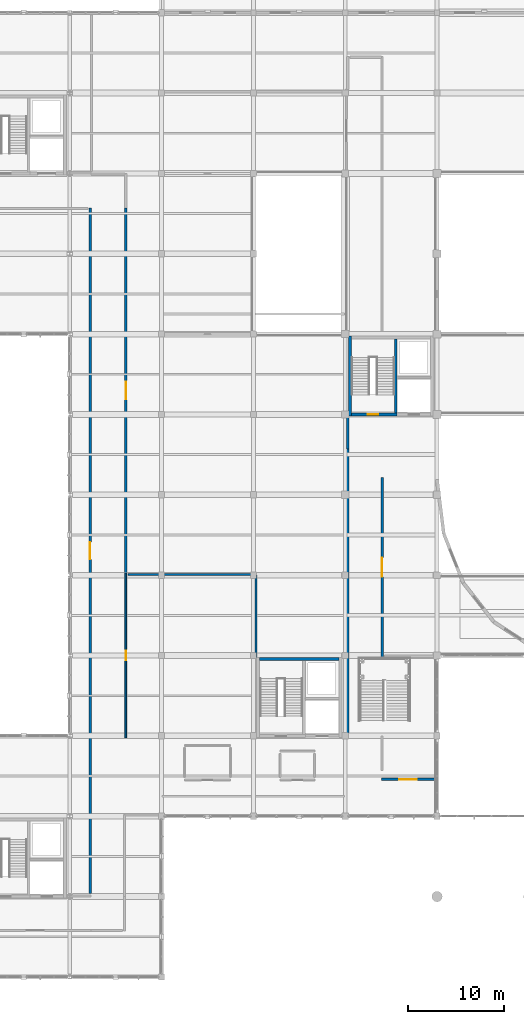
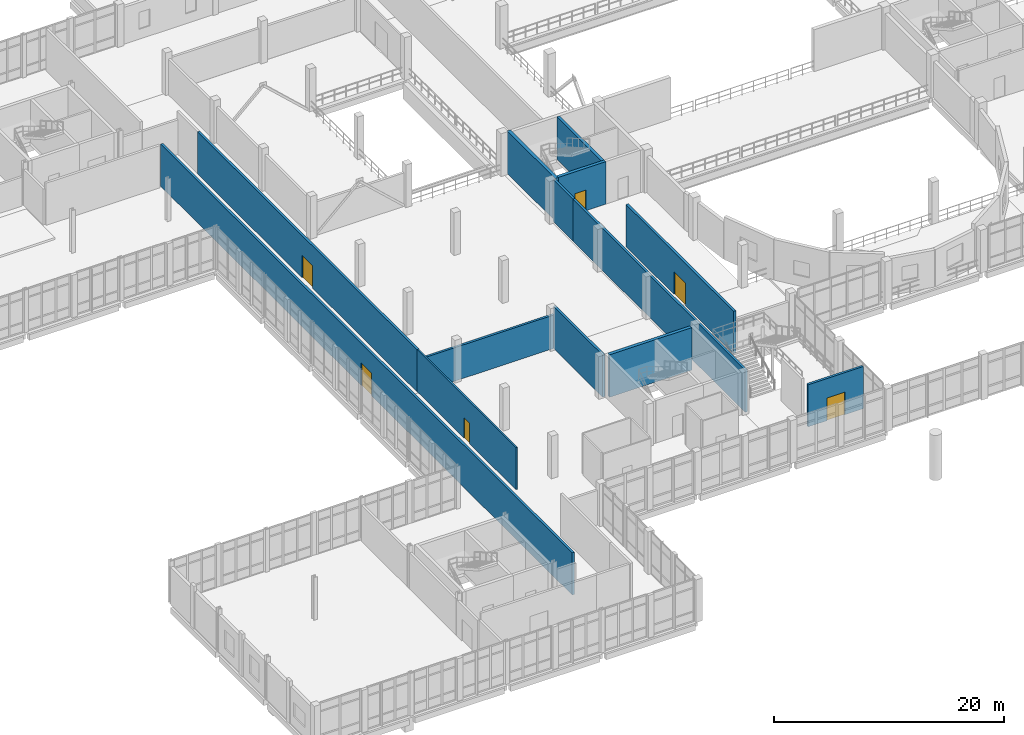
# One storey, part 88 of 102: 13 walls, 6 doors, 6 openings.
"""IFC4 building model written with IfcOpenShell, lengths in metres."""

from ifc_helpers import new_model, si_unit, direction, frame, frame_2d, origin, place, context, subcontext, project, spatial, rectangle, extrude, material, layer, layer_set, type_object, element, fill, save


model = new_model("IFC4")

# Units and contexts
model_context = context("Model", 3, precision=1e-05, world=origin(), true_north=direction((0.0, 1.0)))
body_context = subcontext(model_context, "Body", "Model", "MODEL_VIEW")
ifc_project = project(units=[si_unit("LENGTHUNIT", "METRE"), si_unit("AREAUNIT", "SQUARE_METRE"), si_unit("VOLUMEUNIT", "CUBIC_METRE"), si_unit("PLANEANGLEUNIT", "RADIAN"), si_unit("MASSUNIT", "GRAM", prefix="KILO")], contexts=[model_context])

# Site, building, storey
site_placement = place(None, origin())
site = spatial("IfcSite", under=ifc_project, at=site_placement, CompositionType="ELEMENT")
building_placement = place(site_placement, origin())
building = spatial("IfcBuilding", under=site, at=building_placement, Name="Lornevale Opera House", CompositionType="ELEMENT")
storey_placement = place(building_placement, frame((0.0, 0.0, 5.39990234375)))
storey = spatial("IfcBuildingStorey", under=building, at=storey_placement, Name="L02", CompositionType="ELEMENT", Elevation=5.39990234375)

# Wall, opening, door
ifc_material_1 = material(Name="Acoustic Mineral-Core Gypsum Partition", Category="gypsum")
ifc_layer_1 = layer(ifc_material_1, 0.25)
ifc_layer_set_1 = layer_set([ifc_layer_1], Name="Acoustic Mineral-Core Gypsum Partition")
wall_type_1 = type_object("IfcWallType", Name="Auditorium Box-in-Box Liner 250", PredefinedType="SOLIDWALL", material=ifc_layer_set_1)
wall_1_placement = place(storey_placement, frame((61.4599609375, 33.449951171875, 0.0), z_axis=(0.0, 0.0, 1.0), x_axis=(0.0, 1.0, 0.0)))
wall_1 = element("IfcWall", 1, at=wall_1_placement, inside=storey, type_object=wall_type_1, Name="L02 Partition WL-INT-0749", PredefinedType="SOLIDWALL", context=body_context, shape_type="SweptSolid", body=[
    extrude(rectangle(XDim=18.75, YDim=0.25, at=frame_2d((9.375, 0.0))), origin(), (0.0, 0.0, 1.0), 4.47998046875),
])
opening_1_placement = place(wall_1_placement, frame((8.375, 0.0, 0.0)))
opening_1 = element("IfcOpeningElement", 2, at=opening_1_placement, cuts=wall_1, Name="Opening DR-T14", PredefinedType="OPENING", context=body_context, shape_type="SweptSolid", body=[
    extrude(rectangle(XDim=2.0, YDim=2.39990234375, at=frame_2d((1.0, 1.199951171875))), frame((0.0, 0.135009765625, 0.0), z_axis=(0.0, -1.0, 0.0), x_axis=(1.0, 0.0, 0.0)), (0.0, 0.0, 1.0), 0.27001953125),
])
ifc_material_2 = material(Name="White Oak Acoustic Panelling", Category="wood")
ifc_layer_2 = layer(ifc_material_2, 2.39990234375)
ifc_layer_set_2 = layer_set([ifc_layer_2], Name="White Oak Acoustic Panelling")
door_type_1 = type_object("IfcDoorType", Name="Auditorium Acoustic Sound-Lock Pair 2000x2400", OperationType="NOTDEFINED", PredefinedType="DOOR", material=ifc_layer_set_2)
door_1_placement = place(opening_1_placement, origin())
door_1 = element("IfcDoor", 3, at=door_1_placement, inside=storey, type_object=door_type_1, Name="Auditorium Parterre Tier Door", OperationType="DOUBLE_SWING_LEFT", OverallHeight=2.39990234375, OverallWidth=2.0, PredefinedType="DOOR", context=body_context, shape_type="SweptSolid", body=[
    extrude(rectangle(XDim=2.0, YDim=2.39990234375, at=frame_2d((1.0, 1.199951171875))), frame((0.0, 0.02490234375, 0.0), z_axis=(0.0, -1.0, 0.0), x_axis=(1.0, 0.0, 0.0)), (0.0, 0.0, 1.0), 0.050048828125),
])
fill(opening_1, door_1)

# Wall
ifc_material_3 = material(Name="Concrete 40 MPa (CSA A23.1 C-1)", Category="concrete")
ifc_layer_3 = layer(ifc_material_3, 0.320068359375)
ifc_layer_set_3 = layer_set([ifc_layer_3], Name="Concrete 40 MPa (CSA A23.1 C-1)")
wall_type_2 = type_object("IfcWallType", Name="Core Shear Wall 320", PredefinedType="SHEAR", material=ifc_layer_set_3)
wall_2_placement = place(storey_placement, frame((56.93994140625, 33.239990234375, 0.0), z_axis=(0.0, 0.0, 1.0), x_axis=(-1.0, 0.0, 0.0)))
element("IfcWall", 4, at=wall_2_placement, inside=storey, type_object=wall_type_2, Name="South-West Foyer Core Core Shear Wall 320 WL-COR-0024", PredefinedType="SHEAR", context=body_context, shape_type="SweptSolid", body=[
    extrude(rectangle(XDim=8.280029296875, YDim=0.320068359375, at=frame_2d((4.14013671875, 0.0))), origin(), (0.0, 0.0, 1.0), 4.52001953125),
])

# Wall, opening, door
wall_3_placement = place(storey_placement, frame((58.260009765625, 58.800048828125, 0.0), z_axis=(0.0, 0.0, 1.0), x_axis=(1.0, 0.0, 0.0)))
wall_3 = element("IfcWall", 5, at=wall_3_placement, inside=storey, type_object=wall_type_2, Name="Auditorium West Tier Core Core Shear Wall 320 WL-COR-0169", PredefinedType="SHEAR", context=body_context, shape_type="SweptSolid", body=[
    extrude(rectangle(XDim=4.780029296875, YDim=0.320068359375, at=frame_2d((2.39013671875, 0.0))), origin(), (0.0, 0.0, 1.0), 4.52001953125),
])
opening_2_placement = place(wall_3_placement, frame((1.68994140625, 0.0, 0.0)))
opening_2 = element("IfcOpeningElement", 6, at=opening_2_placement, cuts=wall_3, Name="Opening DR-T10", PredefinedType="OPENING", context=body_context, shape_type="SweptSolid", body=[
    extrude(rectangle(XDim=1.10009765625, YDim=2.199951171875, at=frame_2d((0.550048828125, 1.10009765625))), frame((0.0, 0.169921875, 0.0), z_axis=(0.0, -1.0, 0.0), x_axis=(1.0, 0.0, 0.0)), (0.0, 0.0, 1.0), 0.340087890625),
])
ifc_material_4 = material(Name="Painted Hollow Metal Door Steel", Category="steel")
ifc_layer_4 = layer(ifc_material_4, 2.199951171875)
ifc_layer_set_4 = layer_set([ifc_layer_4], Name="Painted Hollow Metal Door Steel")
door_type_2 = type_object("IfcDoorType", Name="Protected Exit Stair Door L 1100x2200", OperationType="NOTDEFINED", PredefinedType="DOOR", material=ifc_layer_set_4)
door_2_placement = place(opening_2_placement, origin())
door_2 = element("IfcDoor", 7, at=door_2_placement, inside=storey, type_object=door_type_2, Name="C5 Stair Door L02", OperationType="SINGLE_SWING_LEFT", OverallHeight=2.199951171875, OverallWidth=1.10009765625, PredefinedType="DOOR", context=body_context, shape_type="SweptSolid", body=[
    extrude(rectangle(XDim=1.10009765625, YDim=2.199951171875, at=frame_2d((0.550048828125, 1.10009765625))), frame((0.0, 0.02490234375, 0.0), z_axis=(0.0, -1.0, 0.0), x_axis=(1.0, 0.0, 0.0)), (0.0, 0.0, 1.0), 0.050048828125),
])
fill(opening_2, door_2)

# Wall
wall_4_placement = place(storey_placement, frame((58.10009765625, 67.0, 0.0), z_axis=(0.0, 0.0, 1.0), x_axis=(0.0, -1.0, 0.0)))
element("IfcWall", 8, at=wall_4_placement, inside=storey, type_object=wall_type_2, Name="Auditorium West Tier Core Core Shear Wall 320 WL-COR-0172", PredefinedType="SHEAR", context=body_context, shape_type="SweptSolid", body=[
    extrude(rectangle(XDim=8.360107421875, YDim=0.320068359375, at=frame_2d((4.18017578125, 0.0))), origin(), (0.0, 0.0, 1.0), 4.52001953125),
])

# Wall, opening, door
ifc_layer_5 = layer(ifc_material_1, 0.1650390625)
ifc_layer_set_5 = layer_set([ifc_layer_5], Name="Acoustic Mineral-Core Gypsum Partition")
wall_type_3 = type_object("IfcWallType", Name="Corridor Rated Partition 165", PredefinedType="PARTITIONING", material=ifc_layer_set_5)
wall_5_placement = place(storey_placement, frame((34.659912109375, 25.0, 0.0), z_axis=(0.0, 0.0, 1.0), x_axis=(0.0, 1.0, 0.0)))
wall_5 = element("IfcWall", 9, at=wall_5_placement, inside=storey, type_object=wall_type_3, Name="L02 Partition WL-INT-0750", PredefinedType="PARTITIONING", context=body_context, shape_type="SweptSolid", body=[
    extrude(rectangle(XDim=17.199951171875, YDim=0.1650390625, at=frame_2d((8.60009765625, 0.0))), origin(), (0.0, 0.0, 1.0), 4.47998046875),
])
opening_3_placement = place(wall_5_placement, frame((8.125, 0.0, 0.0)))
opening_3 = element("IfcOpeningElement", 10, at=opening_3_placement, cuts=wall_5, Name="Opening DR-T19", PredefinedType="OPENING", context=body_context, shape_type="SweptSolid", body=[
    extrude(rectangle(XDim=0.949951171875, YDim=2.14990234375, at=frame_2d((0.47509765625, 1.074951171875))), frame((0.0, 0.092529296875, 0.0), z_axis=(0.0, -1.0, 0.0), x_axis=(1.0, 0.0, 0.0)), (0.0, 0.0, 1.0), 0.18505859375),
])
ifc_layer_6 = layer(ifc_material_2, 2.14990234375)
ifc_layer_set_6 = layer_set([ifc_layer_6], Name="White Oak Acoustic Panelling")
door_type_3 = type_object("IfcDoorType", Name="Soloist Dressing Door L 950x2150", OperationType="NOTDEFINED", PredefinedType="DOOR", material=ifc_layer_set_6)
door_3_placement = place(opening_3_placement, origin())
door_3 = element("IfcDoor", 11, at=door_3_placement, inside=storey, type_object=door_type_3, Name="Parterre Foyer Salon West Door", OperationType="SINGLE_SWING_LEFT", OverallHeight=2.14990234375, OverallWidth=0.949951171875, PredefinedType="DOOR", context=body_context, shape_type="SweptSolid", body=[
    extrude(rectangle(XDim=0.949951171875, YDim=2.14990234375, at=frame_2d((0.47509765625, 1.074951171875))), frame((0.0, 0.02490234375, 0.0), z_axis=(0.0, -1.0, 0.0), x_axis=(1.0, 0.0, 0.0)), (0.0, 0.0, 1.0), 0.050048828125),
])
fill(opening_3, door_3)

# Wall
ifc_layer_7 = layer(ifc_material_3, 0.280029296875)
ifc_layer_set_7 = layer_set([ifc_layer_7], Name="Concrete 40 MPa (CSA A23.1 C-1)")
wall_type_4 = type_object("IfcWallType", Name="Elevator Shaft Wall 280", PredefinedType="SHEAR", material=ifc_layer_set_7)
wall_6_placement = place(storey_placement, frame((62.89990234375, 58.9599609375, 0.0), z_axis=(0.0, 0.0, 1.0), x_axis=(0.0, 1.0, 0.0)))
element("IfcWall", 12, at=wall_6_placement, inside=storey, type_object=wall_type_4, Name="Auditorium West Tier Core Elevator Shaft Wall 280 WL-COR-0174", PredefinedType="SHEAR", context=body_context, shape_type="SweptSolid", body=[
    extrude(rectangle(XDim=7.719970703125, YDim=0.280029296875, at=frame_2d((3.85986328125, 0.0))), origin(), (0.0, 0.0, 1.0), 4.52001953125),
])

# Wall, opening, door
ifc_layer_8 = layer(ifc_material_1, 0.22998046875)
ifc_layer_set_8 = layer_set([ifc_layer_8], Name="Acoustic Mineral-Core Gypsum Partition")
wall_type_5 = type_object("IfcWallType", Name="Rehearsal Studio Acoustic Wall 230", PredefinedType="SOLIDWALL", material=ifc_layer_set_8)
wall_7_placement = place(storey_placement, frame((34.659912109375, 42.199951171875, 0.0), z_axis=(0.0, 0.0, 1.0), x_axis=(0.0, 1.0, 0.0)))
wall_7 = element("IfcWall", 13, at=wall_7_placement, inside=storey, type_object=wall_type_5, Name="L02 Partition WL-INT-0756", PredefinedType="SOLIDWALL", context=body_context, shape_type="SweptSolid", body=[
    extrude(rectangle(XDim=38.199951171875, YDim=0.22998046875, at=frame_2d((19.10009765625, 0.0))), origin(), (0.0, 0.0, 1.0), 4.47998046875),
])
opening_4_placement = place(wall_7_placement, frame((18.199951171875, 0.0, 0.0)))
opening_4 = element("IfcOpeningElement", 14, at=opening_4_placement, cuts=wall_7, Name="Opening DR-T18", PredefinedType="OPENING", context=body_context, shape_type="SweptSolid", body=[
    extrude(rectangle(XDim=1.800048828125, YDim=2.39990234375, at=frame_2d((0.89990234375, 1.199951171875))), frame((0.0, 0.125, 0.0), z_axis=(0.0, -1.0, 0.0), x_axis=(1.0, 0.0, 0.0)), (0.0, 0.0, 1.0), 0.25),
])
ifc_layer_9 = layer(ifc_material_2, 2.39990234375)
ifc_layer_set_9 = layer_set([ifc_layer_9], Name="White Oak Acoustic Panelling")
door_type_4 = type_object("IfcDoorType", Name="Rehearsal Studio Pair 1800x2400", OperationType="NOTDEFINED", PredefinedType="DOOR", material=ifc_layer_set_9)
door_4_placement = place(opening_4_placement, origin())
door_4 = element("IfcDoor", 15, at=door_4_placement, inside=storey, type_object=door_type_4, Name="Artist Ensemble Rehearsal Lounge Door", OperationType="DOUBLE_SWING_LEFT", OverallHeight=2.39990234375, OverallWidth=1.800048828125, PredefinedType="DOOR", context=body_context, shape_type="SweptSolid", body=[
    extrude(rectangle(XDim=1.800048828125, YDim=2.39990234375, at=frame_2d((0.89990234375, 1.199951171875))), frame((0.0, 0.02490234375, 0.0), z_axis=(0.0, -1.0, 0.0), x_axis=(1.0, 0.0, 0.0)), (0.0, 0.0, 1.0), 0.050048828125),
])
fill(opening_4, door_4)

# Walls
wall_8_placement = place(storey_placement, frame((57.860107421875, 25.199951171875, 0.0), z_axis=(0.0, 0.0, 1.0), x_axis=(0.0, 1.0, 0.0)))
element("IfcWall", 16, at=wall_8_placement, inside=storey, type_object=wall_type_5, Name="L02 Partition WL-INT-0757", PredefinedType="SOLIDWALL", context=body_context, shape_type="SweptSolid", body=[
    extrude(rectangle(XDim=30.0, YDim=0.22998046875, at=frame_2d((15.0, 0.0))), origin(), (0.0, 0.0, 1.0), 4.47998046875),
])
wall_9_placement = place(storey_placement, frame((57.860107421875, 55.199951171875, 0.0), z_axis=(0.0, 0.0, 1.0), x_axis=(0.0, 1.0, 0.0)))
element("IfcWall", 17, at=wall_9_placement, inside=storey, type_object=wall_type_5, Name="L02 Partition WL-INT-0758", PredefinedType="SOLIDWALL", context=body_context, shape_type="SweptSolid", body=[
    extrude(rectangle(XDim=3.43994140625, YDim=0.22998046875, at=frame_2d((1.719970703125, 0.0))), origin(), (0.0, 0.0, 1.0), 4.47998046875),
])

# Wall, opening, door
wall_10_placement = place(storey_placement, frame((30.93994140625, 8.7099609375, 0.0), z_axis=(0.0, 0.0, 1.0), x_axis=(0.0, 1.0, 0.0)))
wall_10 = element("IfcWall", 18, at=wall_10_placement, inside=storey, type_object=wall_type_5, Name="L02 Partition WL-INT-0764", PredefinedType="SOLIDWALL", context=body_context, shape_type="SweptSolid", body=[
    extrude(rectangle(XDim=71.68994140625, YDim=0.22998046875, at=frame_2d((35.844970703125, 0.0))), origin(), (0.0, 0.0, 1.0), 4.47998046875),
])
opening_5_placement = place(wall_10_placement, frame((34.945068359375, 0.0, 0.0)))
opening_5 = element("IfcOpeningElement", 19, at=opening_5_placement, cuts=wall_10, Name="Opening DR-T18", PredefinedType="OPENING", context=body_context, shape_type="SweptSolid", body=[
    extrude(rectangle(XDim=1.800048828125, YDim=2.39990234375, at=frame_2d((0.89990234375, 1.199951171875))), frame((0.0, 0.125, 0.0), z_axis=(0.0, -1.0, 0.0), x_axis=(1.0, 0.0, 0.0)), (0.0, 0.0, 1.0), 0.25),
])
door_5_placement = place(opening_5_placement, origin())
door_5 = element("IfcDoor", 20, at=door_5_placement, inside=storey, type_object=door_type_4, Name="Artist Ensemble Rehearsal Lounge Door", OperationType="DOUBLE_SWING_LEFT", OverallHeight=2.39990234375, OverallWidth=1.800048828125, PredefinedType="DOOR", context=body_context, shape_type="SweptSolid", body=[
    extrude(rectangle(XDim=1.800048828125, YDim=2.39990234375, at=frame_2d((0.89990234375, 1.199951171875))), frame((0.0, 0.02490234375, 0.0), z_axis=(0.0, -1.0, 0.0), x_axis=(1.0, 0.0, 0.0)), (0.0, 0.0, 1.0), 0.050048828125),
])
fill(opening_5, door_5)

wall_11_placement = place(storey_placement, frame((61.39990234375, 20.659912109375, 0.0), z_axis=(0.0, 0.0, 1.0), x_axis=(1.0, 0.0, 0.0)))
wall_11 = element("IfcWall", 21, at=wall_11_placement, inside=storey, type_object=wall_type_5, Name="L02 Partition WL-INT-0772", PredefinedType="SOLIDWALL", context=body_context, shape_type="SweptSolid", body=[
    extrude(rectangle(XDim=5.550048828125, YDim=0.22998046875, at=frame_2d((2.77490234375, 0.0))), origin(), (0.0, 0.0, 1.0), 4.47998046875),
])
opening_6_placement = place(wall_11_placement, frame((1.875, 0.0, 0.0)))
opening_6 = element("IfcOpeningElement", 22, at=opening_6_placement, cuts=wall_11, Name="Opening DR-T18", PredefinedType="OPENING", context=body_context, shape_type="SweptSolid", body=[
    extrude(rectangle(XDim=1.800048828125, YDim=2.39990234375, at=frame_2d((0.89990234375, 1.199951171875))), frame((0.0, 0.125, 0.0), z_axis=(0.0, -1.0, 0.0), x_axis=(1.0, 0.0, 0.0)), (0.0, 0.0, 1.0), 0.25),
])
door_6_placement = place(opening_6_placement, origin())
door_6 = element("IfcDoor", 23, at=door_6_placement, inside=storey, type_object=door_type_4, Name="Artist Ensemble Rehearsal Lounge Door", OperationType="DOUBLE_SWING_LEFT", OverallHeight=2.39990234375, OverallWidth=1.800048828125, PredefinedType="DOOR", context=body_context, shape_type="SweptSolid", body=[
    extrude(rectangle(XDim=1.800048828125, YDim=2.39990234375, at=frame_2d((0.89990234375, 1.199951171875))), frame((0.0, 0.02490234375, 0.0), z_axis=(0.0, -1.0, 0.0), x_axis=(1.0, 0.0, 0.0)), (0.0, 0.0, 1.0), 0.050048828125),
])
fill(opening_6, door_6)

# Walls
wall_12_placement = place(storey_placement, frame((48.260009765625, 33.39990234375, 0.0), z_axis=(0.0, 0.0, 1.0), x_axis=(0.0, 1.0, 0.0)))
element("IfcWall", 24, at=wall_12_placement, inside=storey, type_object=wall_type_5, Name="L02 Partition WL-INT-0798", PredefinedType="SOLIDWALL", context=body_context, shape_type="SweptSolid", body=[
    extrude(rectangle(XDim=8.60009765625, YDim=0.22998046875, at=frame_2d((4.300048828125, 0.0))), origin(), (0.0, 0.0, 1.0), 4.47998046875),
])
wall_13_placement = place(storey_placement, frame((34.909912109375, 42.06005859375, 0.0), z_axis=(0.0, 0.0, 1.0), x_axis=(1.0, 0.0, 0.0)))
element("IfcWall", 25, at=wall_13_placement, inside=storey, type_object=wall_type_5, Name="L02 Partition WL-INT-0799", PredefinedType="SOLIDWALL", context=body_context, shape_type="SweptSolid", body=[
    extrude(rectangle(XDim=13.2900390625, YDim=0.22998046875, at=frame_2d((6.64501953125, 0.0))), origin(), (0.0, 0.0, 1.0), 3.56005859375),
])

save(model, "model.ifc")
